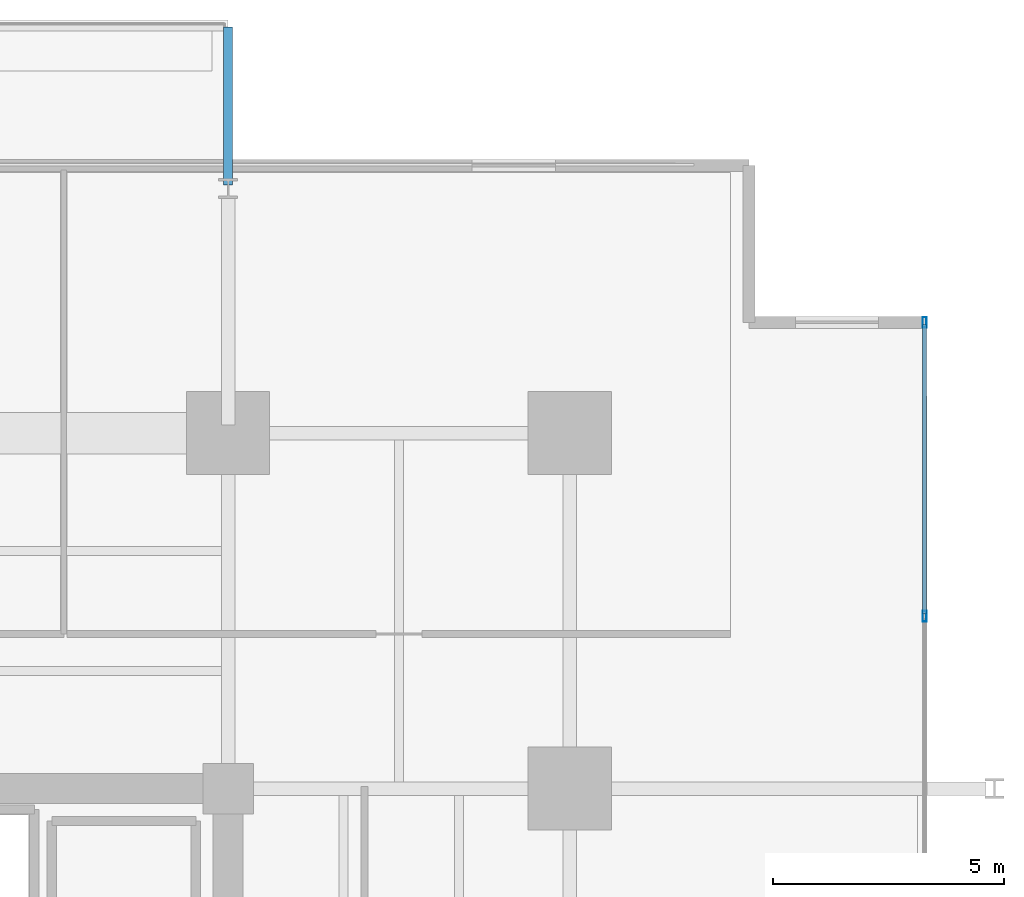
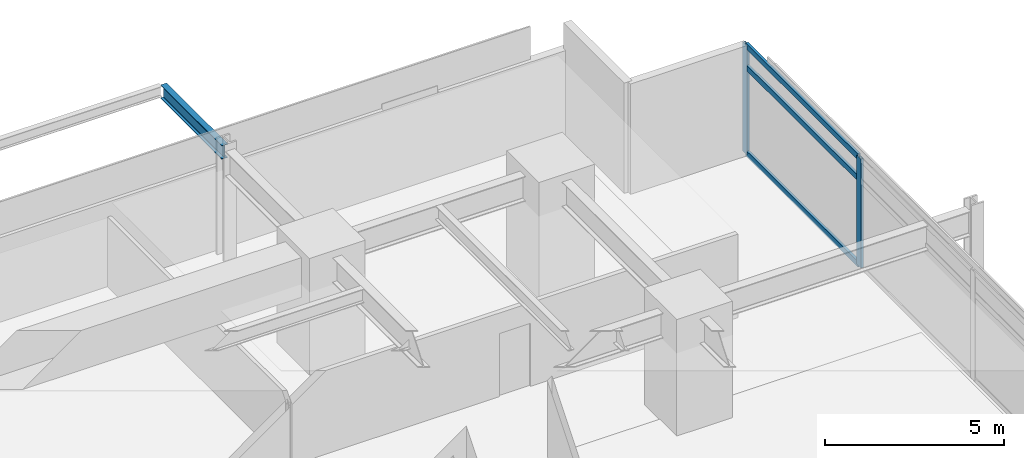
# One storey, part 13 of 22: 5 members, 1 beam, 1 element without a shape of its own.
"""IFC4 building model written with IfcOpenShell, lengths in metres."""

from ifc_helpers import new_model, si_unit, direction, frame, origin, origin_2d, place, context, subcontext, project, spatial, hollow_rectangle, i_section, extrude, material, material_profile, profile_set, type_object, element, aggregate, save


model = new_model("IFC4")

# Units and contexts
model_context = context("Model", 3, precision=1e-05, world=origin(), true_north=direction((0.0, 1.0)))
body_context = subcontext(model_context, "Body", "Model", "MODEL_VIEW")
ifc_project = project(units=[si_unit("LENGTHUNIT", "METRE"), si_unit("AREAUNIT", "SQUARE_METRE"), si_unit("VOLUMEUNIT", "CUBIC_METRE"), si_unit("PLANEANGLEUNIT", "RADIAN"), si_unit("MASSUNIT", "GRAM", prefix="KILO")], contexts=[model_context])

# Site, building, storey
site_placement = place(None, origin())
site = spatial("IfcSite", under=ifc_project, at=site_placement, CompositionType="ELEMENT")
building_placement = place(site_placement, origin())
building = spatial("IfcBuilding", under=site, at=building_placement, Name="Kovane Verandah Tower", CompositionType="ELEMENT")
storey_placement = place(building_placement, frame((0.0, 0.0, 71.60009765625)))
storey = spatial("IfcBuildingStorey", under=building, at=storey_placement, Name="L16", CompositionType="ELEMENT", Elevation=71.60009765625)

# Curtain wall, members
ifc_material_1 = material(Name="Champagne Anodised Aluminium Frame with Low-E Clear Laminated Glass", Category="aluminium")
curtain_wall_type = type_object("IfcCurtainWallType", Name="CW-SYS-02-LOW", PredefinedType="NOTDEFINED", material=ifc_material_1)
curtain_wall_placement = place(storey_placement, origin())
curtain_wall = element("IfcCurtainWall", 1, at=curtain_wall_placement, inside=storey, type_object=curtain_wall_type, Name="L16 E Unitised Curtain Wall", PredefinedType="NOTDEFINED")
ifc_material_2 = material(Name="Champagne Anodised Aluminium 6063-T6", Category="aluminium")
ifc_material_profile_1 = material_profile(ifc_material_2, hollow_rectangle(XDim=0.0849609375, YDim=0.22998046875, WallThickness=0.00390625, at=origin_2d()), Name="AL85x230x4")
ifc_profile_set_1 = profile_set([ifc_material_profile_1], Name="Champagne Anodised Aluminium 6063-T6")
member_type_1 = type_object("IfcMemberType", Name="CW-MUL-85x230", PredefinedType="MULLION", material=ifc_profile_set_1)
member_1_placement = place(storey_placement, frame((66.08642578125, 40.233642578125, 0.02001953125), z_axis=(0.0, 0.0, 1.0), x_axis=(1.0, 0.0, 0.0)))
member_1 = element("IfcMember", 2, at=member_1_placement, type_object=member_type_1, Name="L16 E Unitised Curtain Wall Mullion 6", PredefinedType="MULLION", context=body_context, shape_type="SweptSolid", body=[
    extrude(hollow_rectangle(XDim=0.0849609375, YDim=0.22998046875, WallThickness=0.00390625, at=origin_2d()), origin(), (0.0, 0.0, 1.0), 3.719970703125),
])
member_2_placement = place(storey_placement, frame((66.08642578125, 46.6005859375, 0.02001953125), z_axis=(0.0, 0.0, 1.0), x_axis=(1.0, 0.0, 0.0)))
member_2 = element("IfcMember", 3, at=member_2_placement, type_object=member_type_1, Name="L16 E Unitised Curtain Wall Mullion 7", PredefinedType="MULLION", context=body_context, shape_type="SweptSolid", body=[
    extrude(hollow_rectangle(XDim=0.0849609375, YDim=0.22998046875, WallThickness=0.00390625, at=origin_2d()), origin(), (0.0, 0.0, 1.0), 3.719970703125),
])
ifc_material_profile_2 = material_profile(ifc_material_2, hollow_rectangle(XDim=0.0849609375, YDim=0.18994140625, WallThickness=0.00390625, at=origin_2d()), Name="AL85x190x4")
ifc_profile_set_2 = profile_set([ifc_material_profile_2], Name="Champagne Anodised Aluminium 6063-T6")
member_type_2 = type_object("IfcMemberType", Name="CW-TRN-85x190", PredefinedType="USERDEFINED", material=ifc_profile_set_2)
member_3_placement = place(storey_placement, frame((66.08642578125, 40.28369140625, 0.0498046875), z_axis=(0.0, 1.0, 0.0), x_axis=(-1.0, 0.0, 0.0)))
member_3 = element("IfcMember", 4, at=member_3_placement, type_object=member_type_2, Name="L16 E Unitised Curtain Wall Transom TB Bay 6", ObjectType="TRANSOM", PredefinedType="USERDEFINED", context=body_context, shape_type="SweptSolid", body=[
    extrude(hollow_rectangle(XDim=0.0849609375, YDim=0.18994140625, WallThickness=0.00390625, at=origin_2d()), origin(), (0.0, 0.0, 1.0), 6.266845703125),
])
member_4_placement = place(storey_placement, frame((66.08642578125, 40.28369140625, 2.97998046875), z_axis=(0.0, 1.0, 0.0), x_axis=(-1.0, 0.0, 0.0)))
member_4 = element("IfcMember", 5, at=member_4_placement, type_object=member_type_2, Name="L16 E Unitised Curtain Wall Transom TM Bay 6", ObjectType="TRANSOM", PredefinedType="USERDEFINED", context=body_context, shape_type="SweptSolid", body=[
    extrude(hollow_rectangle(XDim=0.0849609375, YDim=0.18994140625, WallThickness=0.00390625, at=origin_2d()), origin(), (0.0, 0.0, 1.0), 6.266845703125),
])
member_5_placement = place(storey_placement, frame((66.08642578125, 40.28369140625, 3.7099609375), z_axis=(0.0, 1.0, 0.0), x_axis=(-1.0, 0.0, 0.0)))
member_5 = element("IfcMember", 6, at=member_5_placement, type_object=member_type_2, Name="L16 E Unitised Curtain Wall Transom TT Bay 6", ObjectType="TRANSOM", PredefinedType="USERDEFINED", context=body_context, shape_type="SweptSolid", body=[
    extrude(hollow_rectangle(XDim=0.0849609375, YDim=0.18994140625, WallThickness=0.00390625, at=origin_2d()), origin(), (0.0, 0.0, 1.0), 6.266845703125),
])
aggregate(curtain_wall, [member_1, member_2, member_3, member_4, member_5])

# Beam
ifc_material_3 = material(Name="Steel S355", Category="steel")
ifc_material_profile_3 = material_profile(ifc_material_3, i_section(OverallWidth=0.19287109375, OverallDepth=0.46728515625, WebThickness=0.011474609375, FlangeThickness=0.01953125, FilletRadius=0.01025390625, at=origin_2d()), Name="UB457x191x98")
ifc_profile_set_3 = profile_set([ifc_material_profile_3], Name="Steel S355")
beam_type = type_object("IfcBeamType", Name="JST-UB457x98", PredefinedType="JOIST", material=ifc_profile_set_3)
beam_placement = place(storey_placement, frame((51.0, 49.580078125, 3.5263671875), z_axis=(0.0, 1.0, 0.0), x_axis=(-1.0, 0.0, 0.0)))
element("IfcBeam", 7, at=beam_placement, inside=storey, type_object=beam_type, Name="L16 North Planter Girder 2", PredefinedType="JOIST", context=body_context, shape_type="SweptSolid", body=[
    extrude(i_section(OverallWidth=0.19287109375, OverallDepth=0.46728515625, WebThickness=0.011474609375, FlangeThickness=0.01953125, FilletRadius=0.01025390625, at=origin_2d()), origin(), (0.0, 0.0, 1.0), 3.423583984375),
])

save(model, "model.ifc")
